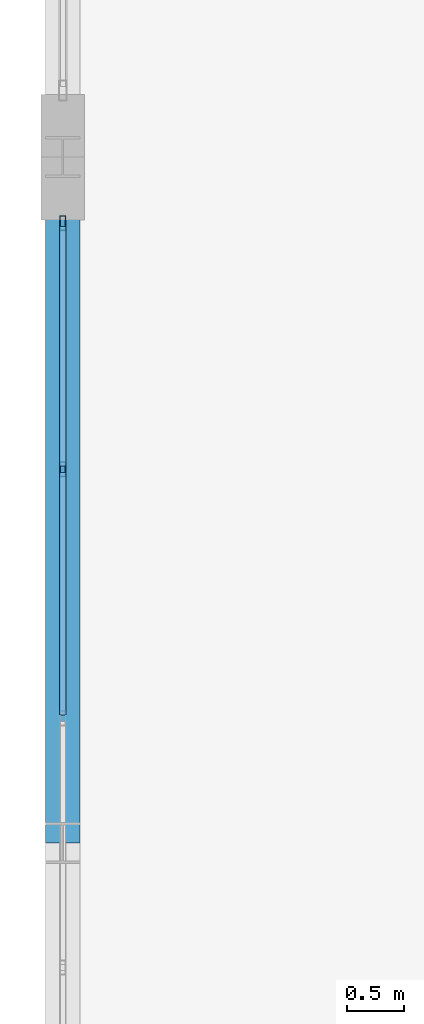
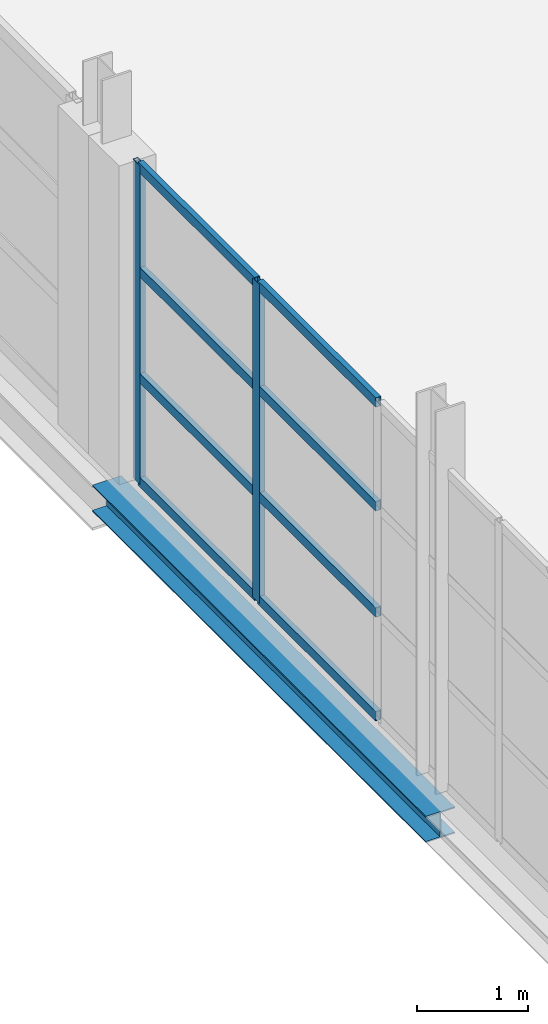
# One storey, part 29 of 147: 10 members, 1 beam, 1 element without a shape of its own.
"""IFC4 building model written with IfcOpenShell, lengths in metres."""

from ifc_helpers import new_model, si_unit, direction, frame, origin, origin_2d, place, context, subcontext, project, spatial, hollow_rectangle, i_section, extrude, material, layer, layer_set, material_profile, profile_set, type_object, element, aggregate, save


model = new_model("IFC4")

# Units and contexts
model_context = context("Model", 3, precision=1e-05, world=origin(), true_north=direction((0.0, 1.0)))
body_context = subcontext(model_context, "Body", "Model", "MODEL_VIEW")
ifc_project = project(units=[si_unit("LENGTHUNIT", "METRE"), si_unit("AREAUNIT", "SQUARE_METRE"), si_unit("VOLUMEUNIT", "CUBIC_METRE"), si_unit("PLANEANGLEUNIT", "RADIAN"), si_unit("MASSUNIT", "GRAM", prefix="KILO")], contexts=[model_context])

# Site, building, storey
site_placement = place(None, origin())
site = spatial("IfcSite", under=ifc_project, at=site_placement, CompositionType="ELEMENT")
building_placement = place(site_placement, origin())
building = spatial("IfcBuilding", under=site, at=building_placement, Name="Zilviju Railside Exhibition Hall", CompositionType="ELEMENT")
storey_placement = place(building_placement, frame((0.0, 0.0, 8.39990234375)))
storey = spatial("IfcBuildingStorey", under=building, at=storey_placement, Name="L03", CompositionType="ELEMENT", Elevation=8.39990234375)

# Beam
ifc_material_1 = material(Name="Steel S355J2", Category="steel")
ifc_material_profile_1 = material_profile(ifc_material_1, i_section(OverallWidth=0.300048828125, OverallDepth=0.2900390625, WebThickness=0.008544921875, FlangeThickness=0.013916015625, at=origin_2d()), Name="HEA 300")
ifc_profile_set_1 = profile_set([ifc_material_profile_1], Name="Steel S355J2")
beam_type = type_object("IfcBeamType", Name="BM-HEA300", PredefinedType="SPANDREL", material=ifc_profile_set_1)
beam_placement = place(storey_placement, frame((0.0, 42.0, -0.494873046875), z_axis=(0.0, 1.0, 0.0), x_axis=(-1.0, 0.0, 0.0)))
element("IfcBeam", 1, at=beam_placement, inside=storey, type_object=beam_type, Name="Transverse Girder L03 X=0.0 (42.0..48.0)", PredefinedType="SPANDREL", context=body_context, shape_type="SweptSolid", body=[
    extrude(i_section(OverallWidth=0.300048828125, OverallDepth=0.2900390625, WebThickness=0.008544921875, FlangeThickness=0.013916015625, at=origin_2d()), origin(), (0.0, 0.0, 1.0), 6.0),
])

# Curtain wall, members
ifc_material_2 = material(Name="Thermally broken aluminium-steel triple-glazed curtain wall", Category="steel")
ifc_layer = layer(ifc_material_2, 0.179931640625)
ifc_layer_set = layer_set([ifc_layer], Name="Thermally broken aluminium-steel triple-glazed curtain wall")
curtain_wall_type = type_object("IfcCurtainWallType", Name="CW-BAY-02", PredefinedType="USERDEFINED", material=ifc_layer_set)
curtain_wall_placement = place(storey_placement, origin())
curtain_wall = element("IfcCurtainWall", 2, at=curtain_wall_placement, inside=storey, type_object=curtain_wall_type, Name="Congress Crush Foyer Boulevard Curtain Wall L03 (36..48)", ObjectType="GLAZED CURTAIN WALL", PredefinedType="USERDEFINED")
ifc_material_3 = material(Name="Thermally broken anodized aluminium mullion", Category="aluminium")
ifc_material_profile_2 = material_profile(ifc_material_3, hollow_rectangle(XDim=0.054931640625, YDim=0.1298828125, WallThickness=0.0048828125, at=origin_2d()), Name="MULLION 130x55x5")
ifc_profile_set_2 = profile_set([ifc_material_profile_2], Name="Thermally broken anodized aluminium mullion")
member_type_1 = type_object("IfcMemberType", Name="CWM-55x130", PredefinedType="MULLION", material=ifc_profile_set_2)
member_1_placement = place(storey_placement, frame((0.0, 45.27001953125, 0.0), z_axis=(0.0, 0.0, 1.0), x_axis=(-1.0, 0.0, 0.0)))
member_1 = element("IfcMember", 3, at=member_1_placement, type_object=member_type_1, Name="CW-02 mullion 5", PredefinedType="MULLION", context=body_context, shape_type="SweptSolid", body=[
    extrude(hollow_rectangle(XDim=0.054931640625, YDim=0.1298828125, WallThickness=0.0048828125, at=origin_2d()), origin(), (0.0, 0.0, 1.0), 3.5),
])
member_2_placement = place(storey_placement, frame((0.0, 47.422607421875, 0.0), z_axis=(0.0, 0.0, 1.0), x_axis=(-1.0, 0.0, 0.0)))
member_2 = element("IfcMember", 4, at=member_2_placement, type_object=member_type_1, Name="CW-02 mullion 6", PredefinedType="MULLION", context=body_context, shape_type="SweptSolid", body=[
    extrude(hollow_rectangle(XDim=0.054931640625, YDim=0.1298828125, WallThickness=0.0048828125, at=origin_2d()), origin(), (0.0, 0.0, 1.0), 3.5),
])
ifc_material_4 = material(Name="Thermally broken anodized aluminium transom", Category="aluminium")
ifc_material_profile_3 = material_profile(ifc_material_4, hollow_rectangle(XDim=0.054931640625, YDim=0.10498046875, WallThickness=0.0048828125, at=origin_2d()), Name="TRANSOM 105x55x5")
ifc_profile_set_3 = profile_set([ifc_material_profile_3], Name="Thermally broken anodized aluminium transom")
member_type_2 = type_object("IfcMemberType", Name="CWT-55x105", PredefinedType="USERDEFINED", material=ifc_profile_set_3)
member_3_placement = place(storey_placement, frame((0.0, 43.117431640625, 0.027587890625), z_axis=(0.0, 1.0, 0.0), x_axis=(-1.0, 0.0, 0.0)))
member_3 = element("IfcMember", 5, at=member_3_placement, type_object=member_type_2, Name="CW-02 transom 4.1", ObjectType="TRANSOM", PredefinedType="USERDEFINED", context=body_context, shape_type="SweptSolid", body=[
    extrude(hollow_rectangle(XDim=0.054931640625, YDim=0.10498046875, WallThickness=0.0048828125, at=origin_2d()), origin(), (0.0, 0.0, 1.0), 2.125),
])
member_4_placement = place(storey_placement, frame((0.0, 43.117431640625, 1.1669921875), z_axis=(0.0, 1.0, 0.0), x_axis=(-1.0, 0.0, 0.0)))
member_4 = element("IfcMember", 6, at=member_4_placement, type_object=member_type_2, Name="CW-02 transom 4.2", ObjectType="TRANSOM", PredefinedType="USERDEFINED", context=body_context, shape_type="SweptSolid", body=[
    extrude(hollow_rectangle(XDim=0.054931640625, YDim=0.10498046875, WallThickness=0.0048828125, at=origin_2d()), origin(), (0.0, 0.0, 1.0), 2.125),
])
member_5_placement = place(storey_placement, frame((0.0, 43.117431640625, 2.3330078125), z_axis=(0.0, 1.0, 0.0), x_axis=(-1.0, 0.0, 0.0)))
member_5 = element("IfcMember", 7, at=member_5_placement, type_object=member_type_2, Name="CW-02 transom 4.3", ObjectType="TRANSOM", PredefinedType="USERDEFINED", context=body_context, shape_type="SweptSolid", body=[
    extrude(hollow_rectangle(XDim=0.054931640625, YDim=0.10498046875, WallThickness=0.0048828125, at=origin_2d()), origin(), (0.0, 0.0, 1.0), 2.125),
])
member_6_placement = place(storey_placement, frame((0.0, 43.117431640625, 3.47265625), z_axis=(0.0, 1.0, 0.0), x_axis=(-1.0, 0.0, 0.0)))
member_6 = element("IfcMember", 8, at=member_6_placement, type_object=member_type_2, Name="CW-02 transom 4.4", ObjectType="TRANSOM", PredefinedType="USERDEFINED", context=body_context, shape_type="SweptSolid", body=[
    extrude(hollow_rectangle(XDim=0.054931640625, YDim=0.10498046875, WallThickness=0.0048828125, at=origin_2d()), origin(), (0.0, 0.0, 1.0), 2.125),
])
member_7_placement = place(storey_placement, frame((0.0, 45.297607421875, 0.027587890625), z_axis=(0.0, 1.0, 0.0), x_axis=(-1.0, 0.0, 0.0)))
member_7 = element("IfcMember", 9, at=member_7_placement, type_object=member_type_2, Name="CW-02 transom 5.1", ObjectType="TRANSOM", PredefinedType="USERDEFINED", context=body_context, shape_type="SweptSolid", body=[
    extrude(hollow_rectangle(XDim=0.054931640625, YDim=0.10498046875, WallThickness=0.0048828125, at=origin_2d()), origin(), (0.0, 0.0, 1.0), 2.097412109375),
])
member_8_placement = place(storey_placement, frame((0.0, 45.297607421875, 1.1669921875), z_axis=(0.0, 1.0, 0.0), x_axis=(-1.0, 0.0, 0.0)))
member_8 = element("IfcMember", 10, at=member_8_placement, type_object=member_type_2, Name="CW-02 transom 5.2", ObjectType="TRANSOM", PredefinedType="USERDEFINED", context=body_context, shape_type="SweptSolid", body=[
    extrude(hollow_rectangle(XDim=0.054931640625, YDim=0.10498046875, WallThickness=0.0048828125, at=origin_2d()), origin(), (0.0, 0.0, 1.0), 2.097412109375),
])
member_9_placement = place(storey_placement, frame((0.0, 45.297607421875, 2.3330078125), z_axis=(0.0, 1.0, 0.0), x_axis=(-1.0, 0.0, 0.0)))
member_9 = element("IfcMember", 11, at=member_9_placement, type_object=member_type_2, Name="CW-02 transom 5.3", ObjectType="TRANSOM", PredefinedType="USERDEFINED", context=body_context, shape_type="SweptSolid", body=[
    extrude(hollow_rectangle(XDim=0.054931640625, YDim=0.10498046875, WallThickness=0.0048828125, at=origin_2d()), origin(), (0.0, 0.0, 1.0), 2.097412109375),
])
member_10_placement = place(storey_placement, frame((0.0, 45.297607421875, 3.47265625), z_axis=(0.0, 1.0, 0.0), x_axis=(-1.0, 0.0, 0.0)))
member_10 = element("IfcMember", 12, at=member_10_placement, type_object=member_type_2, Name="CW-02 transom 5.4", ObjectType="TRANSOM", PredefinedType="USERDEFINED", context=body_context, shape_type="SweptSolid", body=[
    extrude(hollow_rectangle(XDim=0.054931640625, YDim=0.10498046875, WallThickness=0.0048828125, at=origin_2d()), origin(), (0.0, 0.0, 1.0), 2.097412109375),
])
aggregate(curtain_wall, [member_1, member_2, member_3, member_4, member_5, member_6, member_7, member_8, member_9, member_10])

save(model, "model.ifc")
